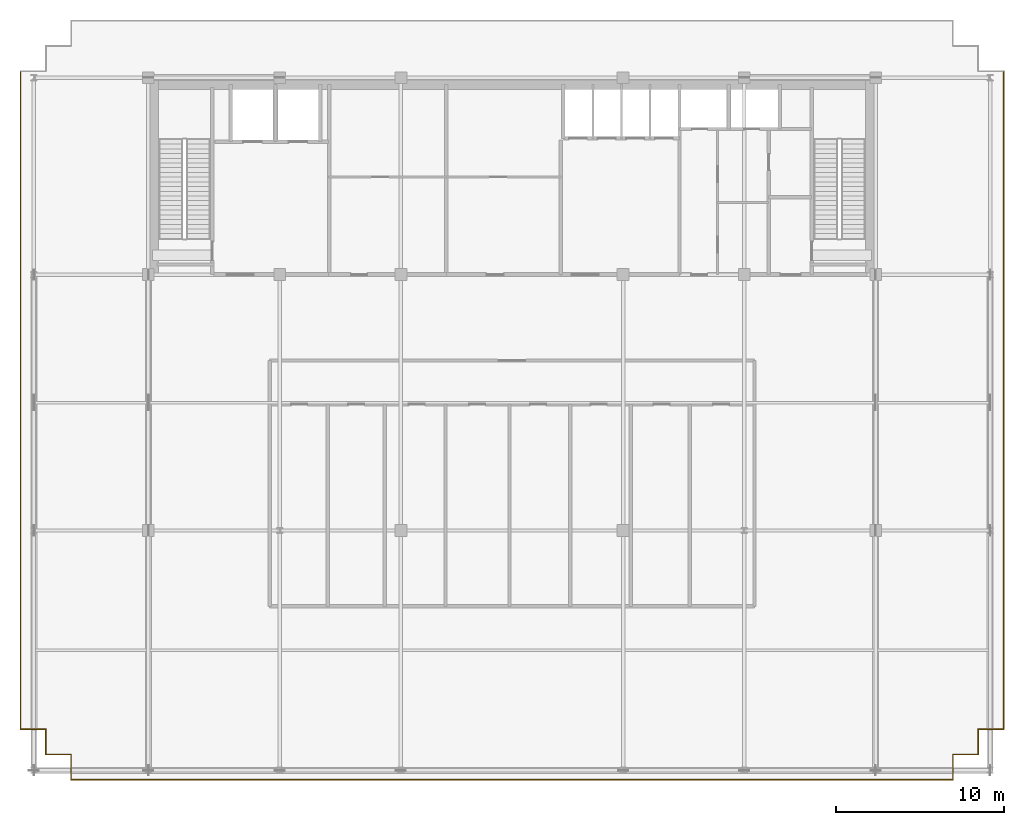
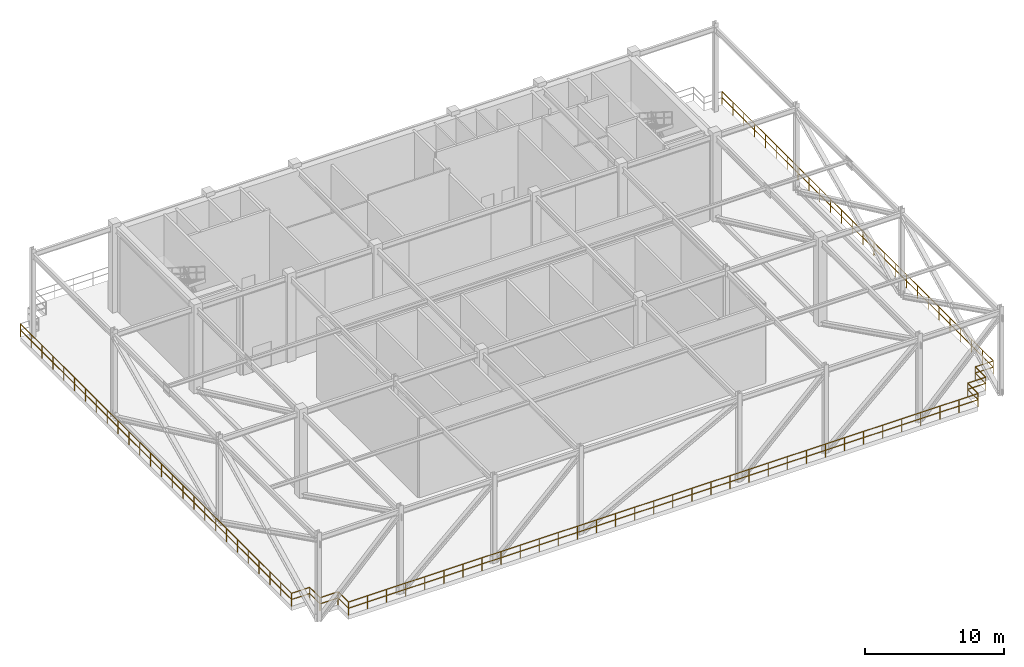
# One storey, part 12 of 15: 11 railings.
"""IFC4 building model written with IfcOpenShell, lengths in metres."""

from ifc_helpers import new_model, si_unit, direction, frame, origin, origin_2d, place, context, subcontext, project, spatial, rectangle, extrude, material, type_object, element, save


model = new_model("IFC4")

# Units and contexts
model_context = context("Model", 3, precision=1e-05, world=origin(), true_north=direction((0.0, 1.0)))
body_context = subcontext(model_context, "Body", "Model", "MODEL_VIEW")
ifc_project = project(units=[si_unit("LENGTHUNIT", "METRE"), si_unit("AREAUNIT", "SQUARE_METRE"), si_unit("VOLUMEUNIT", "CUBIC_METRE"), si_unit("PLANEANGLEUNIT", "RADIAN"), si_unit("MASSUNIT", "GRAM", prefix="KILO")], contexts=[model_context])

# Site, building, storey
site_placement = place(None, origin())
site = spatial("IfcSite", under=ifc_project, at=site_placement, CompositionType="ELEMENT")
building_placement = place(site_placement, origin())
building = spatial("IfcBuilding", under=site, at=building_placement, Name="Trelvane Seafront Commons", CompositionType="ELEMENT")
storey_placement = place(building_placement, frame((0.0, 0.0, 240.89990234375)))
storey = spatial("IfcBuildingStorey", under=building, at=storey_placement, Name="L63", CompositionType="ELEMENT", Elevation=240.89990234375)

# Railings
ifc_material = material(Name="Stainless steel balustrade", Category="steel")
railing_type = type_object("IfcRailingType", Name="ARCH-RAIL-BAL1150", PredefinedType="BALUSTRADE", material=ifc_material)
railing_1_placement = place(storey_placement, frame((11.0, 3.39990234375, 0.0)))
element("IfcRailing", 1, at=railing_1_placement, inside=storey, type_object=railing_type, Name="RL-L63-PERIM-01", PredefinedType="BALUSTRADE", context=body_context, shape_type="SweptSolid", body=[
    extrude(rectangle(XDim=0.048095703125, YDim=0.048095703125, at=origin_2d()), frame((0.0, 0.0, 1.15576171875), z_axis=(1.0, 0.0, 0.0), x_axis=(0.0, 1.0, 0.0)), (0.0, 0.0, 1.0), 52.39990234375),
    extrude(rectangle(XDim=0.048095703125, YDim=0.048095703125, at=origin_2d()), frame((0.0, 0.0, 0.613525390625), z_axis=(1.0, 0.0, 0.0), x_axis=(0.0, 1.0, 0.0)), (0.0, 0.0, 1.0), 52.39990234375),
    extrude(rectangle(XDim=0.0419921875, YDim=0.0419921875, at=origin_2d()), origin(), (0.0, 0.0, 1.0), 1.15576171875),
    extrude(rectangle(XDim=0.0419921875, YDim=0.0419921875, at=origin_2d()), frame((1.587890625, 0.0, 0.0)), (0.0, 0.0, 1.0), 1.15576171875),
    extrude(rectangle(XDim=0.0419921875, YDim=0.0419921875, at=origin_2d()), frame((3.17578125, 0.0, 0.0)), (0.0, 0.0, 1.0), 1.15576171875),
    extrude(rectangle(XDim=0.0419921875, YDim=0.0419921875, at=origin_2d()), frame((4.763671875, 0.0, 0.0)), (0.0, 0.0, 1.0), 1.15576171875),
    extrude(rectangle(XDim=0.0419921875, YDim=0.0419921875, at=origin_2d()), frame((6.3515625, 0.0, 0.0)), (0.0, 0.0, 1.0), 1.15576171875),
    extrude(rectangle(XDim=0.0419921875, YDim=0.0419921875, at=origin_2d()), frame((7.939453125, 0.0, 0.0)), (0.0, 0.0, 1.0), 1.15576171875),
    extrude(rectangle(XDim=0.0419921875, YDim=0.0419921875, at=origin_2d()), frame((9.52734375, 0.0, 0.0)), (0.0, 0.0, 1.0), 1.15576171875),
    extrude(rectangle(XDim=0.0419921875, YDim=0.0419921875, at=origin_2d()), frame((11.115234375, 0.0, 0.0)), (0.0, 0.0, 1.0), 1.15576171875),
    extrude(rectangle(XDim=0.0419921875, YDim=0.0419921875, at=origin_2d()), frame((12.703125, 0.0, 0.0)), (0.0, 0.0, 1.0), 1.15576171875),
    extrude(rectangle(XDim=0.0419921875, YDim=0.0419921875, at=origin_2d()), frame((14.290771484375, 0.0, 0.0)), (0.0, 0.0, 1.0), 1.15576171875),
    extrude(rectangle(XDim=0.0419921875, YDim=0.0419921875, at=origin_2d()), frame((15.878662109375, 0.0, 0.0)), (0.0, 0.0, 1.0), 1.15576171875),
    extrude(rectangle(XDim=0.0419921875, YDim=0.0419921875, at=origin_2d()), frame((17.466552734375, 0.0, 0.0)), (0.0, 0.0, 1.0), 1.15576171875),
    extrude(rectangle(XDim=0.0419921875, YDim=0.0419921875, at=origin_2d()), frame((19.054443359375, 0.0, 0.0)), (0.0, 0.0, 1.0), 1.15576171875),
    extrude(rectangle(XDim=0.0419921875, YDim=0.0419921875, at=origin_2d()), frame((20.642333984375, 0.0, 0.0)), (0.0, 0.0, 1.0), 1.15576171875),
    extrude(rectangle(XDim=0.0419921875, YDim=0.0419921875, at=origin_2d()), frame((22.230224609375, 0.0, 0.0)), (0.0, 0.0, 1.0), 1.15576171875),
    extrude(rectangle(XDim=0.0419921875, YDim=0.0419921875, at=origin_2d()), frame((23.818115234375, 0.0, 0.0)), (0.0, 0.0, 1.0), 1.15576171875),
    extrude(rectangle(XDim=0.0419921875, YDim=0.0419921875, at=origin_2d()), frame((25.406005859375, 0.0, 0.0)), (0.0, 0.0, 1.0), 1.15576171875),
    extrude(rectangle(XDim=0.0419921875, YDim=0.0419921875, at=origin_2d()), frame((26.993896484375, 0.0, 0.0)), (0.0, 0.0, 1.0), 1.15576171875),
    extrude(rectangle(XDim=0.0419921875, YDim=0.0419921875, at=origin_2d()), frame((28.581787109375, 0.0, 0.0)), (0.0, 0.0, 1.0), 1.15576171875),
    extrude(rectangle(XDim=0.0419921875, YDim=0.0419921875, at=origin_2d()), frame((30.169677734375, 0.0, 0.0)), (0.0, 0.0, 1.0), 1.15576171875),
    extrude(rectangle(XDim=0.0419921875, YDim=0.0419921875, at=origin_2d()), frame((31.757568359375, 0.0, 0.0)), (0.0, 0.0, 1.0), 1.15576171875),
    extrude(rectangle(XDim=0.0419921875, YDim=0.0419921875, at=origin_2d()), frame((33.345458984375, 0.0, 0.0)), (0.0, 0.0, 1.0), 1.15576171875),
    extrude(rectangle(XDim=0.0419921875, YDim=0.0419921875, at=origin_2d()), frame((34.933349609375, 0.0, 0.0)), (0.0, 0.0, 1.0), 1.15576171875),
    extrude(rectangle(XDim=0.0419921875, YDim=0.0419921875, at=origin_2d()), frame((36.521240234375, 0.0, 0.0)), (0.0, 0.0, 1.0), 1.15576171875),
    extrude(rectangle(XDim=0.0419921875, YDim=0.0419921875, at=origin_2d()), frame((38.109130859375, 0.0, 0.0)), (0.0, 0.0, 1.0), 1.15576171875),
    extrude(rectangle(XDim=0.0419921875, YDim=0.0419921875, at=origin_2d()), frame((39.69677734375, 0.0, 0.0)), (0.0, 0.0, 1.0), 1.15576171875),
    extrude(rectangle(XDim=0.0419921875, YDim=0.0419921875, at=origin_2d()), frame((41.28466796875, 0.0, 0.0)), (0.0, 0.0, 1.0), 1.15576171875),
    extrude(rectangle(XDim=0.0419921875, YDim=0.0419921875, at=origin_2d()), frame((42.87255859375, 0.0, 0.0)), (0.0, 0.0, 1.0), 1.15576171875),
    extrude(rectangle(XDim=0.0419921875, YDim=0.0419921875, at=origin_2d()), frame((44.46044921875, 0.0, 0.0)), (0.0, 0.0, 1.0), 1.15576171875),
    extrude(rectangle(XDim=0.0419921875, YDim=0.0419921875, at=origin_2d()), frame((46.04833984375, 0.0, 0.0)), (0.0, 0.0, 1.0), 1.15576171875),
    extrude(rectangle(XDim=0.0419921875, YDim=0.0419921875, at=origin_2d()), frame((47.63623046875, 0.0, 0.0)), (0.0, 0.0, 1.0), 1.15576171875),
    extrude(rectangle(XDim=0.0419921875, YDim=0.0419921875, at=origin_2d()), frame((49.22412109375, 0.0, 0.0)), (0.0, 0.0, 1.0), 1.15576171875),
    extrude(rectangle(XDim=0.0419921875, YDim=0.0419921875, at=origin_2d()), frame((50.81201171875, 0.0, 0.0)), (0.0, 0.0, 1.0), 1.15576171875),
    extrude(rectangle(XDim=0.0419921875, YDim=0.0419921875, at=origin_2d()), frame((52.39990234375, 0.0, 0.0)), (0.0, 0.0, 1.0), 1.15576171875),
])
railing_2_placement = place(storey_placement, frame((63.39990234375, 3.39990234375, 0.0)))
element("IfcRailing", 2, at=railing_2_placement, inside=storey, type_object=railing_type, Name="RL-L63-PERIM-02", PredefinedType="BALUSTRADE", context=body_context, shape_type="SweptSolid", body=[
    extrude(rectangle(XDim=0.048095703125, YDim=0.048095703125, at=origin_2d()), frame((0.0, 0.0, 1.15576171875), z_axis=(0.0, 1.0, 0.0), x_axis=(-1.0, 0.0, 0.0)), (0.0, 0.0, 1.0), 1.5),
    extrude(rectangle(XDim=0.048095703125, YDim=0.048095703125, at=origin_2d()), frame((0.0, 0.0, 0.613525390625), z_axis=(0.0, 1.0, 0.0), x_axis=(-1.0, 0.0, 0.0)), (0.0, 0.0, 1.0), 1.5),
    extrude(rectangle(XDim=0.0419921875, YDim=0.0419921875, at=origin_2d()), origin(), (0.0, 0.0, 1.0), 1.15576171875),
    extrude(rectangle(XDim=0.0419921875, YDim=0.0419921875, at=origin_2d()), frame((0.0, 1.5, 0.0)), (0.0, 0.0, 1.0), 1.15576171875),
])
railing_3_placement = place(storey_placement, frame((63.39990234375, 4.89990234375, 0.0)))
element("IfcRailing", 3, at=railing_3_placement, inside=storey, type_object=railing_type, Name="RL-L63-PERIM-03", PredefinedType="BALUSTRADE", context=body_context, shape_type="SweptSolid", body=[
    extrude(rectangle(XDim=0.048095703125, YDim=0.048095703125, at=origin_2d()), frame((0.0, 0.0, 1.15576171875), z_axis=(1.0, 0.0, 0.0), x_axis=(0.0, 1.0, 0.0)), (0.0, 0.0, 1.0), 1.5),
    extrude(rectangle(XDim=0.048095703125, YDim=0.048095703125, at=origin_2d()), frame((0.0, 0.0, 0.613525390625), z_axis=(1.0, 0.0, 0.0), x_axis=(0.0, 1.0, 0.0)), (0.0, 0.0, 1.0), 1.5),
    extrude(rectangle(XDim=0.0419921875, YDim=0.0419921875, at=origin_2d()), origin(), (0.0, 0.0, 1.0), 1.15576171875),
    extrude(rectangle(XDim=0.0419921875, YDim=0.0419921875, at=origin_2d()), frame((1.5, 0.0, 0.0)), (0.0, 0.0, 1.0), 1.15576171875),
])
railing_4_placement = place(storey_placement, frame((64.89990234375, 4.89990234375, 0.0)))
element("IfcRailing", 4, at=railing_4_placement, inside=storey, type_object=railing_type, Name="RL-L63-PERIM-04", PredefinedType="BALUSTRADE", context=body_context, shape_type="SweptSolid", body=[
    extrude(rectangle(XDim=0.048095703125, YDim=0.048095703125, at=origin_2d()), frame((0.0, 0.0, 1.15576171875), z_axis=(0.0, 1.0, 0.0), x_axis=(-1.0, 0.0, 0.0)), (0.0, 0.0, 1.0), 1.5),
    extrude(rectangle(XDim=0.048095703125, YDim=0.048095703125, at=origin_2d()), frame((0.0, 0.0, 0.613525390625), z_axis=(0.0, 1.0, 0.0), x_axis=(-1.0, 0.0, 0.0)), (0.0, 0.0, 1.0), 1.5),
    extrude(rectangle(XDim=0.0419921875, YDim=0.0419921875, at=origin_2d()), origin(), (0.0, 0.0, 1.0), 1.15576171875),
    extrude(rectangle(XDim=0.0419921875, YDim=0.0419921875, at=origin_2d()), frame((0.0, 1.5, 0.0)), (0.0, 0.0, 1.0), 1.15576171875),
])
railing_5_placement = place(storey_placement, frame((64.89990234375, 6.39990234375, 0.0)))
element("IfcRailing", 5, at=railing_5_placement, inside=storey, type_object=railing_type, Name="RL-L63-PERIM-05", PredefinedType="BALUSTRADE", context=body_context, shape_type="SweptSolid", body=[
    extrude(rectangle(XDim=0.048095703125, YDim=0.048095703125, at=origin_2d()), frame((0.0, 0.0, 1.15576171875), z_axis=(1.0, 0.0, 0.0), x_axis=(0.0, 1.0, 0.0)), (0.0, 0.0, 1.0), 1.5),
    extrude(rectangle(XDim=0.048095703125, YDim=0.048095703125, at=origin_2d()), frame((0.0, 0.0, 0.613525390625), z_axis=(1.0, 0.0, 0.0), x_axis=(0.0, 1.0, 0.0)), (0.0, 0.0, 1.0), 1.5),
    extrude(rectangle(XDim=0.0419921875, YDim=0.0419921875, at=origin_2d()), origin(), (0.0, 0.0, 1.0), 1.15576171875),
    extrude(rectangle(XDim=0.0419921875, YDim=0.0419921875, at=origin_2d()), frame((1.5, 0.0, 0.0)), (0.0, 0.0, 1.0), 1.15576171875),
])
railing_6_placement = place(storey_placement, frame((66.39990234375, 6.39990234375, 0.0)))
element("IfcRailing", 6, at=railing_6_placement, inside=storey, type_object=railing_type, Name="RL-L63-PERIM-06", PredefinedType="BALUSTRADE", context=body_context, shape_type="SweptSolid", body=[
    extrude(rectangle(XDim=0.048095703125, YDim=0.048095703125, at=origin_2d()), frame((0.0, 0.0, 1.15576171875), z_axis=(0.0, 1.0, 0.0), x_axis=(-1.0, 0.0, 0.0)), (0.0, 0.0, 1.0), 39.10009765625),
    extrude(rectangle(XDim=0.048095703125, YDim=0.048095703125, at=origin_2d()), frame((0.0, 0.0, 0.613525390625), z_axis=(0.0, 1.0, 0.0), x_axis=(-1.0, 0.0, 0.0)), (0.0, 0.0, 1.0), 39.10009765625),
    extrude(rectangle(XDim=0.0419921875, YDim=0.0419921875, at=origin_2d()), origin(), (0.0, 0.0, 1.0), 1.15576171875),
    extrude(rectangle(XDim=0.0419921875, YDim=0.0419921875, at=origin_2d()), frame((0.0, 1.56396484375, 0.0)), (0.0, 0.0, 1.0), 1.15576171875),
    extrude(rectangle(XDim=0.0419921875, YDim=0.0419921875, at=origin_2d()), frame((0.0, 3.1279296875, 0.0)), (0.0, 0.0, 1.0), 1.15576171875),
    extrude(rectangle(XDim=0.0419921875, YDim=0.0419921875, at=origin_2d()), frame((0.0, 4.69189453125, 0.0)), (0.0, 0.0, 1.0), 1.15576171875),
    extrude(rectangle(XDim=0.0419921875, YDim=0.0419921875, at=origin_2d()), frame((0.0, 6.256103515625, 0.0)), (0.0, 0.0, 1.0), 1.15576171875),
    extrude(rectangle(XDim=0.0419921875, YDim=0.0419921875, at=origin_2d()), frame((0.0, 7.820068359375, 0.0)), (0.0, 0.0, 1.0), 1.15576171875),
    extrude(rectangle(XDim=0.0419921875, YDim=0.0419921875, at=origin_2d()), frame((0.0, 9.384033203125, 0.0)), (0.0, 0.0, 1.0), 1.15576171875),
    extrude(rectangle(XDim=0.0419921875, YDim=0.0419921875, at=origin_2d()), frame((0.0, 10.947998046875, 0.0)), (0.0, 0.0, 1.0), 1.15576171875),
    extrude(rectangle(XDim=0.0419921875, YDim=0.0419921875, at=origin_2d()), frame((0.0, 12.511962890625, 0.0)), (0.0, 0.0, 1.0), 1.15576171875),
    extrude(rectangle(XDim=0.0419921875, YDim=0.0419921875, at=origin_2d()), frame((0.0, 14.075927734375, 0.0)), (0.0, 0.0, 1.0), 1.15576171875),
    extrude(rectangle(XDim=0.0419921875, YDim=0.0419921875, at=origin_2d()), frame((0.0, 15.64013671875, 0.0)), (0.0, 0.0, 1.0), 1.15576171875),
    extrude(rectangle(XDim=0.0419921875, YDim=0.0419921875, at=origin_2d()), frame((0.0, 17.2041015625, 0.0)), (0.0, 0.0, 1.0), 1.15576171875),
    extrude(rectangle(XDim=0.0419921875, YDim=0.0419921875, at=origin_2d()), frame((0.0, 18.76806640625, 0.0)), (0.0, 0.0, 1.0), 1.15576171875),
    extrude(rectangle(XDim=0.0419921875, YDim=0.0419921875, at=origin_2d()), frame((0.0, 20.33203125, 0.0)), (0.0, 0.0, 1.0), 1.15576171875),
    extrude(rectangle(XDim=0.0419921875, YDim=0.0419921875, at=origin_2d()), frame((0.0, 21.89599609375, 0.0)), (0.0, 0.0, 1.0), 1.15576171875),
    extrude(rectangle(XDim=0.0419921875, YDim=0.0419921875, at=origin_2d()), frame((0.0, 23.4599609375, 0.0)), (0.0, 0.0, 1.0), 1.15576171875),
    extrude(rectangle(XDim=0.0419921875, YDim=0.0419921875, at=origin_2d()), frame((0.0, 25.024169921875, 0.0)), (0.0, 0.0, 1.0), 1.15576171875),
    extrude(rectangle(XDim=0.0419921875, YDim=0.0419921875, at=origin_2d()), frame((0.0, 26.588134765625, 0.0)), (0.0, 0.0, 1.0), 1.15576171875),
    extrude(rectangle(XDim=0.0419921875, YDim=0.0419921875, at=origin_2d()), frame((0.0, 28.152099609375, 0.0)), (0.0, 0.0, 1.0), 1.15576171875),
    extrude(rectangle(XDim=0.0419921875, YDim=0.0419921875, at=origin_2d()), frame((0.0, 29.716064453125, 0.0)), (0.0, 0.0, 1.0), 1.15576171875),
    extrude(rectangle(XDim=0.0419921875, YDim=0.0419921875, at=origin_2d()), frame((0.0, 31.280029296875, 0.0)), (0.0, 0.0, 1.0), 1.15576171875),
    extrude(rectangle(XDim=0.0419921875, YDim=0.0419921875, at=origin_2d()), frame((0.0, 32.843994140625, 0.0)), (0.0, 0.0, 1.0), 1.15576171875),
    extrude(rectangle(XDim=0.0419921875, YDim=0.0419921875, at=origin_2d()), frame((0.0, 34.408203125, 0.0)), (0.0, 0.0, 1.0), 1.15576171875),
    extrude(rectangle(XDim=0.0419921875, YDim=0.0419921875, at=origin_2d()), frame((0.0, 35.97216796875, 0.0)), (0.0, 0.0, 1.0), 1.15576171875),
    extrude(rectangle(XDim=0.0419921875, YDim=0.0419921875, at=origin_2d()), frame((0.0, 37.5361328125, 0.0)), (0.0, 0.0, 1.0), 1.15576171875),
    extrude(rectangle(XDim=0.0419921875, YDim=0.0419921875, at=origin_2d()), frame((0.0, 39.10009765625, 0.0)), (0.0, 0.0, 1.0), 1.15576171875),
])
railing_7_placement = place(storey_placement, frame((8.0, 45.5, 0.0)))
element("IfcRailing", 7, at=railing_7_placement, inside=storey, type_object=railing_type, Name="RL-L63-PERIM-16", PredefinedType="BALUSTRADE", context=body_context, shape_type="SweptSolid", body=[
    extrude(rectangle(XDim=0.048095703125, YDim=0.048095703125, at=origin_2d()), frame((0.0, 0.0, 1.15576171875), z_axis=(0.0, -1.0, 0.0), x_axis=(1.0, 0.0, 0.0)), (0.0, 0.0, 1.0), 39.10009765625),
    extrude(rectangle(XDim=0.048095703125, YDim=0.048095703125, at=origin_2d()), frame((0.0, 0.0, 0.613525390625), z_axis=(0.0, -1.0, 0.0), x_axis=(1.0, 0.0, 0.0)), (0.0, 0.0, 1.0), 39.10009765625),
    extrude(rectangle(XDim=0.0419921875, YDim=0.0419921875, at=origin_2d()), origin(), (0.0, 0.0, 1.0), 1.15576171875),
    extrude(rectangle(XDim=0.0419921875, YDim=0.0419921875, at=origin_2d()), frame((0.0, -1.56396484375, 0.0)), (0.0, 0.0, 1.0), 1.15576171875),
    extrude(rectangle(XDim=0.0419921875, YDim=0.0419921875, at=origin_2d()), frame((0.0, -3.1279296875, 0.0)), (0.0, 0.0, 1.0), 1.15576171875),
    extrude(rectangle(XDim=0.0419921875, YDim=0.0419921875, at=origin_2d()), frame((0.0, -4.69189453125, 0.0)), (0.0, 0.0, 1.0), 1.15576171875),
    extrude(rectangle(XDim=0.0419921875, YDim=0.0419921875, at=origin_2d()), frame((0.0, -6.256103515625, 0.0)), (0.0, 0.0, 1.0), 1.15576171875),
    extrude(rectangle(XDim=0.0419921875, YDim=0.0419921875, at=origin_2d()), frame((0.0, -7.820068359375, 0.0)), (0.0, 0.0, 1.0), 1.15576171875),
    extrude(rectangle(XDim=0.0419921875, YDim=0.0419921875, at=origin_2d()), frame((0.0, -9.384033203125, 0.0)), (0.0, 0.0, 1.0), 1.15576171875),
    extrude(rectangle(XDim=0.0419921875, YDim=0.0419921875, at=origin_2d()), frame((0.0, -10.947998046875, 0.0)), (0.0, 0.0, 1.0), 1.15576171875),
    extrude(rectangle(XDim=0.0419921875, YDim=0.0419921875, at=origin_2d()), frame((0.0, -12.511962890625, 0.0)), (0.0, 0.0, 1.0), 1.15576171875),
    extrude(rectangle(XDim=0.0419921875, YDim=0.0419921875, at=origin_2d()), frame((0.0, -14.075927734375, 0.0)), (0.0, 0.0, 1.0), 1.15576171875),
    extrude(rectangle(XDim=0.0419921875, YDim=0.0419921875, at=origin_2d()), frame((0.0, -15.64013671875, 0.0)), (0.0, 0.0, 1.0), 1.15576171875),
    extrude(rectangle(XDim=0.0419921875, YDim=0.0419921875, at=origin_2d()), frame((0.0, -17.2041015625, 0.0)), (0.0, 0.0, 1.0), 1.15576171875),
    extrude(rectangle(XDim=0.0419921875, YDim=0.0419921875, at=origin_2d()), frame((0.0, -18.76806640625, 0.0)), (0.0, 0.0, 1.0), 1.15576171875),
    extrude(rectangle(XDim=0.0419921875, YDim=0.0419921875, at=origin_2d()), frame((0.0, -20.33203125, 0.0)), (0.0, 0.0, 1.0), 1.15576171875),
    extrude(rectangle(XDim=0.0419921875, YDim=0.0419921875, at=origin_2d()), frame((0.0, -21.89599609375, 0.0)), (0.0, 0.0, 1.0), 1.15576171875),
    extrude(rectangle(XDim=0.0419921875, YDim=0.0419921875, at=origin_2d()), frame((0.0, -23.4599609375, 0.0)), (0.0, 0.0, 1.0), 1.15576171875),
    extrude(rectangle(XDim=0.0419921875, YDim=0.0419921875, at=origin_2d()), frame((0.0, -25.024169921875, 0.0)), (0.0, 0.0, 1.0), 1.15576171875),
    extrude(rectangle(XDim=0.0419921875, YDim=0.0419921875, at=origin_2d()), frame((0.0, -26.588134765625, 0.0)), (0.0, 0.0, 1.0), 1.15576171875),
    extrude(rectangle(XDim=0.0419921875, YDim=0.0419921875, at=origin_2d()), frame((0.0, -28.152099609375, 0.0)), (0.0, 0.0, 1.0), 1.15576171875),
    extrude(rectangle(XDim=0.0419921875, YDim=0.0419921875, at=origin_2d()), frame((0.0, -29.716064453125, 0.0)), (0.0, 0.0, 1.0), 1.15576171875),
    extrude(rectangle(XDim=0.0419921875, YDim=0.0419921875, at=origin_2d()), frame((0.0, -31.280029296875, 0.0)), (0.0, 0.0, 1.0), 1.15576171875),
    extrude(rectangle(XDim=0.0419921875, YDim=0.0419921875, at=origin_2d()), frame((0.0, -32.843994140625, 0.0)), (0.0, 0.0, 1.0), 1.15576171875),
    extrude(rectangle(XDim=0.0419921875, YDim=0.0419921875, at=origin_2d()), frame((0.0, -34.408203125, 0.0)), (0.0, 0.0, 1.0), 1.15576171875),
    extrude(rectangle(XDim=0.0419921875, YDim=0.0419921875, at=origin_2d()), frame((0.0, -35.97216796875, 0.0)), (0.0, 0.0, 1.0), 1.15576171875),
    extrude(rectangle(XDim=0.0419921875, YDim=0.0419921875, at=origin_2d()), frame((0.0, -37.5361328125, 0.0)), (0.0, 0.0, 1.0), 1.15576171875),
    extrude(rectangle(XDim=0.0419921875, YDim=0.0419921875, at=origin_2d()), frame((0.0, -39.10009765625, 0.0)), (0.0, 0.0, 1.0), 1.15576171875),
])
railing_8_placement = place(storey_placement, frame((8.0, 6.39990234375, 0.0)))
element("IfcRailing", 8, at=railing_8_placement, inside=storey, type_object=railing_type, Name="RL-L63-PERIM-17", PredefinedType="BALUSTRADE", context=body_context, shape_type="SweptSolid", body=[
    extrude(rectangle(XDim=0.048095703125, YDim=0.048095703125, at=origin_2d()), frame((0.0, 0.0, 1.15576171875), z_axis=(1.0, 0.0, 0.0), x_axis=(0.0, 1.0, 0.0)), (0.0, 0.0, 1.0), 1.5),
    extrude(rectangle(XDim=0.048095703125, YDim=0.048095703125, at=origin_2d()), frame((0.0, 0.0, 0.613525390625), z_axis=(1.0, 0.0, 0.0), x_axis=(0.0, 1.0, 0.0)), (0.0, 0.0, 1.0), 1.5),
    extrude(rectangle(XDim=0.0419921875, YDim=0.0419921875, at=origin_2d()), origin(), (0.0, 0.0, 1.0), 1.15576171875),
    extrude(rectangle(XDim=0.0419921875, YDim=0.0419921875, at=origin_2d()), frame((1.5, 0.0, 0.0)), (0.0, 0.0, 1.0), 1.15576171875),
])
railing_9_placement = place(storey_placement, frame((9.5, 6.39990234375, 0.0)))
element("IfcRailing", 9, at=railing_9_placement, inside=storey, type_object=railing_type, Name="RL-L63-PERIM-18", PredefinedType="BALUSTRADE", context=body_context, shape_type="SweptSolid", body=[
    extrude(rectangle(XDim=0.048095703125, YDim=0.048095703125, at=origin_2d()), frame((0.0, 0.0, 1.15576171875), z_axis=(0.0, -1.0, 0.0), x_axis=(1.0, 0.0, 0.0)), (0.0, 0.0, 1.0), 1.5),
    extrude(rectangle(XDim=0.048095703125, YDim=0.048095703125, at=origin_2d()), frame((0.0, 0.0, 0.613525390625), z_axis=(0.0, -1.0, 0.0), x_axis=(1.0, 0.0, 0.0)), (0.0, 0.0, 1.0), 1.5),
    extrude(rectangle(XDim=0.0419921875, YDim=0.0419921875, at=origin_2d()), origin(), (0.0, 0.0, 1.0), 1.15576171875),
    extrude(rectangle(XDim=0.0419921875, YDim=0.0419921875, at=origin_2d()), frame((0.0, -1.5, 0.0)), (0.0, 0.0, 1.0), 1.15576171875),
])
railing_10_placement = place(storey_placement, frame((9.5, 4.89990234375, 0.0)))
element("IfcRailing", 10, at=railing_10_placement, inside=storey, type_object=railing_type, Name="RL-L63-PERIM-19", PredefinedType="BALUSTRADE", context=body_context, shape_type="SweptSolid", body=[
    extrude(rectangle(XDim=0.048095703125, YDim=0.048095703125, at=origin_2d()), frame((0.0, 0.0, 1.15576171875), z_axis=(1.0, 0.0, 0.0), x_axis=(0.0, 1.0, 0.0)), (0.0, 0.0, 1.0), 1.5),
    extrude(rectangle(XDim=0.048095703125, YDim=0.048095703125, at=origin_2d()), frame((0.0, 0.0, 0.613525390625), z_axis=(1.0, 0.0, 0.0), x_axis=(0.0, 1.0, 0.0)), (0.0, 0.0, 1.0), 1.5),
    extrude(rectangle(XDim=0.0419921875, YDim=0.0419921875, at=origin_2d()), origin(), (0.0, 0.0, 1.0), 1.15576171875),
    extrude(rectangle(XDim=0.0419921875, YDim=0.0419921875, at=origin_2d()), frame((1.5, 0.0, 0.0)), (0.0, 0.0, 1.0), 1.15576171875),
])
railing_11_placement = place(storey_placement, frame((11.0, 4.89990234375, 0.0)))
element("IfcRailing", 11, at=railing_11_placement, inside=storey, type_object=railing_type, Name="RL-L63-PERIM-20", PredefinedType="BALUSTRADE", context=body_context, shape_type="SweptSolid", body=[
    extrude(rectangle(XDim=0.048095703125, YDim=0.048095703125, at=origin_2d()), frame((0.0, 0.0, 1.15576171875), z_axis=(0.0, -1.0, 0.0), x_axis=(1.0, 0.0, 0.0)), (0.0, 0.0, 1.0), 1.5),
    extrude(rectangle(XDim=0.048095703125, YDim=0.048095703125, at=origin_2d()), frame((0.0, 0.0, 0.613525390625), z_axis=(0.0, -1.0, 0.0), x_axis=(1.0, 0.0, 0.0)), (0.0, 0.0, 1.0), 1.5),
    extrude(rectangle(XDim=0.0419921875, YDim=0.0419921875, at=origin_2d()), origin(), (0.0, 0.0, 1.0), 1.15576171875),
    extrude(rectangle(XDim=0.0419921875, YDim=0.0419921875, at=origin_2d()), frame((0.0, -1.5, 0.0)), (0.0, 0.0, 1.0), 1.15576171875),
])

save(model, "model.ifc")
